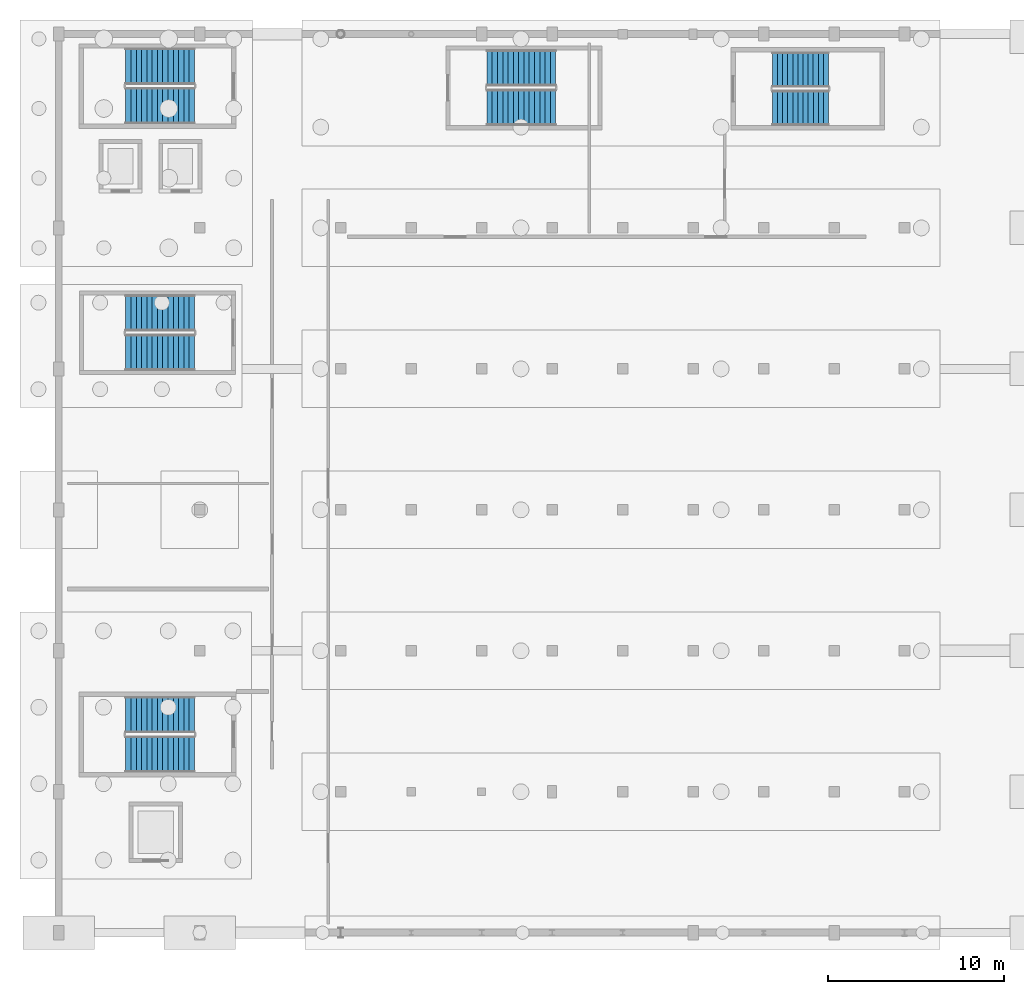
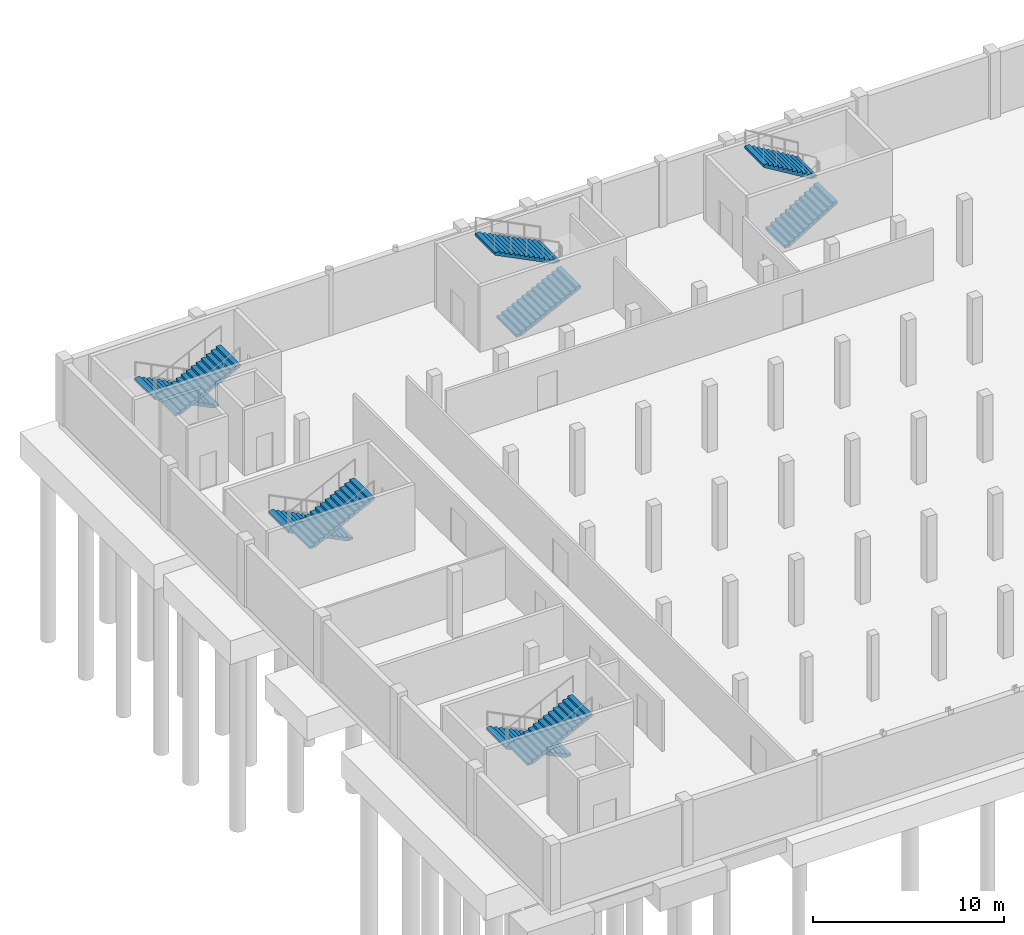
# One storey, part 10 of 15: 10 stair flights, 5 elements without a shape of their own.
"""IFC4 building model written with IfcOpenShell, lengths in metres."""

from ifc_helpers import new_model, si_unit, derived_unit, direction, frame, origin, place, context, subcontext, project, spatial, polyline, outline, extrude, material, type_object, element, aggregate, save


model = new_model("IFC4")

# Units and contexts
model_context = context("Model", 3, precision=1e-05, world=origin(), true_north=direction((0.0, 1.0)))
body_context = subcontext(model_context, "Body", "Model", "MODEL_VIEW")
ifc_project = project(units=[si_unit("LENGTHUNIT", "METRE"), si_unit("AREAUNIT", "SQUARE_METRE"), si_unit("VOLUMEUNIT", "CUBIC_METRE"), si_unit("PLANEANGLEUNIT", "RADIAN"), si_unit("MASSUNIT", "GRAM", prefix="KILO"), derived_unit("THERMALTRANSMITTANCEUNIT", [(si_unit("POWERUNIT", "WATT"), 1), (si_unit("LENGTHUNIT", "METRE"), -2), (si_unit("THERMODYNAMICTEMPERATUREUNIT", "KELVIN"), -1)])], contexts=[model_context])

# Site, building, storey
site_placement = place(None, origin())
site = spatial("IfcSite", under=ifc_project, at=site_placement, CompositionType="ELEMENT")
building_placement = place(site_placement, origin())
building = spatial("IfcBuilding", under=site, at=building_placement, Name="Keldorne Ridge Multi-Sports Centre", CompositionType="ELEMENT")
storey_placement = place(building_placement, frame((0.0, 0.0, -4.199951171875)))
storey = spatial("IfcBuildingStorey", under=building, at=storey_placement, Name="B01", CompositionType="ELEMENT", Elevation=-4.199951171875)

# Stair, stair flights
ifc_material = material(Name="Concrete C35/45", Category="concrete")
stair_type = type_object("IfcStairType", Name="STR-S01", PredefinedType="HALF_TURN_STAIR", material=ifc_material)
stair_1_placement = place(storey_placement, origin())
stair_1 = element("IfcStair", 1, at=stair_1_placement, inside=storey, type_object=stair_type, Name="B01 North-East Primary Clinical Core C1", PredefinedType="HALF_TURN_STAIR")
stair_flight_type = type_object("IfcStairFlightType", Name="STF-F01", PredefinedType="STRAIGHT", material=ifc_material)
stair_flight_1_placement = place(storey_placement, frame((111.699951171875, 115.169921875, 0.0), z_axis=(0.0, 0.0, 1.0), x_axis=(-1.0, 0.0, 0.0)))
stair_flight_1 = element("IfcStairFlight", 2, at=stair_flight_1_placement, type_object=stair_flight_type, Name="ST-01 flight 1", NumberOfRisers=14, NumberOfTreads=13, PredefinedType="STRAIGHT", RiserHeight=0.15, TreadLength=0.3, context=body_context, shape_type="SweptSolid", body=[
    extrude(outline(polyline([(0.0, 0.0), (0.0, 0.14990234375), (0.300048828125, 0.14990234375), (0.300048828125, 0.300048828125), (0.60009765625, 0.300048828125), (0.60009765625, 0.449951171875), (0.89990234375, 0.449951171875), (0.89990234375, 0.60009765625), (1.199951171875, 0.60009765625), (1.199951171875, 0.75), (1.5, 0.75), (1.5, 0.89990234375), (1.800048828125, 0.89990234375), (1.800048828125, 1.050048828125), (2.10009765625, 1.050048828125), (2.10009765625, 1.199951171875), (2.39990234375, 1.199951171875), (2.39990234375, 1.35009765625), (2.699951171875, 1.35009765625), (2.699951171875, 1.5), (3.0, 1.5), (3.0, 1.64990234375), (3.300048828125, 1.64990234375), (3.300048828125, 1.800048828125), (3.60009765625, 1.800048828125), (3.60009765625, 1.949951171875), (3.89990234375, 1.949951171875), (3.89990234375, 2.10009765625), (3.89990234375, 1.782470703125), (0.335205078125, 0.0), (0.0, 0.0)])), frame((0.0, 1.030029296875, 0.0), z_axis=(0.0, -1.0, 0.0), x_axis=(1.0, 0.0, 0.0)), (0.0, 0.0, 1.0), 2.06005859375),
])
stair_flight_2_placement = place(storey_placement, frame((107.800048828125, 112.929931640625, 2.099853515625), z_axis=(0.0, 0.0, 1.0), x_axis=(1.0, 0.0, 0.0)))
stair_flight_2 = element("IfcStairFlight", 3, at=stair_flight_2_placement, type_object=stair_flight_type, Name="ST-01 flight 2", NumberOfRisers=14, NumberOfTreads=13, PredefinedType="STRAIGHT", RiserHeight=0.15, TreadLength=0.3, context=body_context, shape_type="SweptSolid", body=[
    extrude(outline(polyline([(0.0, 0.0), (0.0, 0.14990234375), (0.300048828125, 0.14990234375), (0.300048828125, 0.300048828125), (0.60009765625, 0.300048828125), (0.60009765625, 0.449951171875), (0.89990234375, 0.449951171875), (0.89990234375, 0.60009765625), (1.199951171875, 0.60009765625), (1.199951171875, 0.75), (1.5, 0.75), (1.5, 0.89990234375), (1.800048828125, 0.89990234375), (1.800048828125, 1.050048828125), (2.10009765625, 1.050048828125), (2.10009765625, 1.199951171875), (2.39990234375, 1.199951171875), (2.39990234375, 1.35009765625), (2.699951171875, 1.35009765625), (2.699951171875, 1.5), (3.0, 1.5), (3.0, 1.64990234375), (3.300048828125, 1.64990234375), (3.300048828125, 1.800048828125), (3.60009765625, 1.800048828125), (3.60009765625, 1.949951171875), (3.89990234375, 1.949951171875), (3.89990234375, 2.10009765625), (3.89990234375, 1.782470703125), (0.335205078125, 0.0), (0.0, 0.0)])), frame((0.0, 1.030029296875, 0.0), z_axis=(0.0, -1.0, 0.0), x_axis=(1.0, 0.0, 0.0)), (0.0, 0.0, 1.0), 2.06005859375),
])
aggregate(stair_1, [stair_flight_1, stair_flight_2])

stair_2_placement = place(storey_placement, origin())
stair_2 = element("IfcStair", 4, at=stair_2_placement, inside=storey, type_object=stair_type, Name="B01 East Wing South Core C2", PredefinedType="HALF_TURN_STAIR")
stair_flight_3_placement = place(storey_placement, frame((111.699951171875, 78.3701171875, 0.0), z_axis=(0.0, 0.0, 1.0), x_axis=(-1.0, 0.0, 0.0)))
stair_flight_3 = element("IfcStairFlight", 5, at=stair_flight_3_placement, type_object=stair_flight_type, Name="ST-02 flight 1", NumberOfRisers=14, NumberOfTreads=13, PredefinedType="STRAIGHT", RiserHeight=0.15, TreadLength=0.3, context=body_context, shape_type="SweptSolid", body=[
    extrude(outline(polyline([(0.0, 0.0), (0.0, 0.14990234375), (0.300048828125, 0.14990234375), (0.300048828125, 0.300048828125), (0.60009765625, 0.300048828125), (0.60009765625, 0.449951171875), (0.89990234375, 0.449951171875), (0.89990234375, 0.60009765625), (1.199951171875, 0.60009765625), (1.199951171875, 0.75), (1.5, 0.75), (1.5, 0.89990234375), (1.800048828125, 0.89990234375), (1.800048828125, 1.050048828125), (2.10009765625, 1.050048828125), (2.10009765625, 1.199951171875), (2.39990234375, 1.199951171875), (2.39990234375, 1.35009765625), (2.699951171875, 1.35009765625), (2.699951171875, 1.5), (3.0, 1.5), (3.0, 1.64990234375), (3.300048828125, 1.64990234375), (3.300048828125, 1.800048828125), (3.60009765625, 1.800048828125), (3.60009765625, 1.949951171875), (3.89990234375, 1.949951171875), (3.89990234375, 2.10009765625), (3.89990234375, 1.782470703125), (0.335205078125, 0.0), (0.0, 0.0)])), frame((0.0, 1.030029296875, 0.0), z_axis=(0.0, -1.0, 0.0), x_axis=(1.0, 0.0, 0.0)), (0.0, 0.0, 1.0), 2.06005859375),
])
stair_flight_4_placement = place(storey_placement, frame((107.800048828125, 76.1298828125, 2.099853515625), z_axis=(0.0, 0.0, 1.0), x_axis=(1.0, 0.0, 0.0)))
stair_flight_4 = element("IfcStairFlight", 6, at=stair_flight_4_placement, type_object=stair_flight_type, Name="ST-02 flight 2", NumberOfRisers=14, NumberOfTreads=13, PredefinedType="STRAIGHT", RiserHeight=0.15, TreadLength=0.3, context=body_context, shape_type="SweptSolid", body=[
    extrude(outline(polyline([(0.0, 0.0), (0.0, 0.14990234375), (0.300048828125, 0.14990234375), (0.300048828125, 0.300048828125), (0.60009765625, 0.300048828125), (0.60009765625, 0.449951171875), (0.89990234375, 0.449951171875), (0.89990234375, 0.60009765625), (1.199951171875, 0.60009765625), (1.199951171875, 0.75), (1.5, 0.75), (1.5, 0.89990234375), (1.800048828125, 0.89990234375), (1.800048828125, 1.050048828125), (2.10009765625, 1.050048828125), (2.10009765625, 1.199951171875), (2.39990234375, 1.199951171875), (2.39990234375, 1.35009765625), (2.699951171875, 1.35009765625), (2.699951171875, 1.5), (3.0, 1.5), (3.0, 1.64990234375), (3.300048828125, 1.64990234375), (3.300048828125, 1.800048828125), (3.60009765625, 1.800048828125), (3.60009765625, 1.949951171875), (3.89990234375, 1.949951171875), (3.89990234375, 2.10009765625), (3.89990234375, 1.782470703125), (0.335205078125, 0.0), (0.0, 0.0)])), frame((0.0, 1.030029296875, 0.0), z_axis=(0.0, -1.0, 0.0), x_axis=(1.0, 0.0, 0.0)), (0.0, 0.0, 1.0), 2.06005859375),
])
aggregate(stair_2, [stair_flight_3, stair_flight_4])

stair_3_placement = place(storey_placement, origin())
stair_3 = element("IfcStair", 7, at=stair_3_placement, inside=storey, type_object=stair_type, Name="B01 East Wing Studio Core C3", PredefinedType="HALF_TURN_STAIR")
stair_flight_5_placement = place(storey_placement, frame((144.5, 112.800048828125, 0.0), z_axis=(0.0, 0.0, 1.0), x_axis=(1.0, 0.0, 0.0)))
stair_flight_5 = element("IfcStairFlight", 8, at=stair_flight_5_placement, type_object=stair_flight_type, Name="ST-03 flight 1", NumberOfRisers=12, NumberOfTreads=11, PredefinedType="STRAIGHT", RiserHeight=0.175, TreadLength=0.29, context=body_context, shape_type="SweptSolid", body=[
    extrude(outline(polyline([(0.0, 0.0), (0.0, 0.175048828125), (0.2900390625, 0.175048828125), (0.2900390625, 0.35009765625), (0.580078125, 0.35009765625), (0.580078125, 0.52490234375), (0.8701171875, 0.52490234375), (0.8701171875, 0.699951171875), (1.159912109375, 0.699951171875), (1.159912109375, 0.875), (1.449951171875, 0.875), (1.449951171875, 1.050048828125), (1.739990234375, 1.050048828125), (1.739990234375, 1.22509765625), (2.030029296875, 1.22509765625), (2.030029296875, 1.39990234375), (2.320068359375, 1.39990234375), (2.320068359375, 1.574951171875), (2.610107421875, 1.574951171875), (2.610107421875, 1.75), (2.89990234375, 1.75), (2.89990234375, 1.925048828125), (3.18994140625, 1.925048828125), (3.18994140625, 2.10009765625), (3.18994140625, 1.75), (0.2900390625, 0.0), (0.0, 0.0)])), frame((0.0, 1.0, 0.0), z_axis=(0.0, -1.0, 0.0), x_axis=(1.0, 0.0, 0.0)), (0.0, 0.0, 1.0), 2.0),
])
stair_flight_6_placement = place(storey_placement, frame((147.68994140625, 114.97998046875, 2.099853515625), z_axis=(0.0, 0.0, 1.0), x_axis=(-1.0, 0.0, 0.0)))
stair_flight_6 = element("IfcStairFlight", 9, at=stair_flight_6_placement, type_object=stair_flight_type, Name="ST-03 flight 2", NumberOfRisers=12, NumberOfTreads=11, PredefinedType="STRAIGHT", RiserHeight=0.175, TreadLength=0.29, context=body_context, shape_type="SweptSolid", body=[
    extrude(outline(polyline([(0.0, 0.0), (0.0, 0.175048828125), (0.2900390625, 0.175048828125), (0.2900390625, 0.35009765625), (0.580078125, 0.35009765625), (0.580078125, 0.52490234375), (0.8701171875, 0.52490234375), (0.8701171875, 0.699951171875), (1.159912109375, 0.699951171875), (1.159912109375, 0.875), (1.449951171875, 0.875), (1.449951171875, 1.050048828125), (1.739990234375, 1.050048828125), (1.739990234375, 1.22509765625), (2.030029296875, 1.22509765625), (2.030029296875, 1.39990234375), (2.320068359375, 1.39990234375), (2.320068359375, 1.574951171875), (2.610107421875, 1.574951171875), (2.610107421875, 1.75), (2.89990234375, 1.75), (2.89990234375, 1.925048828125), (3.18994140625, 1.925048828125), (3.18994140625, 2.10009765625), (3.18994140625, 1.75), (0.2900390625, 0.0), (0.0, 0.0)])), frame((0.0, 1.0, 0.0), z_axis=(0.0, -1.0, 0.0), x_axis=(1.0, 0.0, 0.0)), (0.0, 0.0, 1.0), 2.0),
])
aggregate(stair_3, [stair_flight_5, stair_flight_6])

stair_4_placement = place(storey_placement, origin())
stair_4 = element("IfcStair", 10, at=stair_4_placement, inside=storey, type_object=stair_type, Name="B01 Upper Studio Escape Stair ST-10", PredefinedType="HALF_TURN_STAIR")
stair_flight_7_placement = place(storey_placement, frame((128.300048828125, 112.830078125, 0.0), z_axis=(0.0, 0.0, 1.0), x_axis=(1.0, 0.0, 0.0)))
stair_flight_7 = element("IfcStairFlight", 11, at=stair_flight_7_placement, type_object=stair_flight_type, Name="ST-10 flight 1", NumberOfRisers=14, NumberOfTreads=13, PredefinedType="STRAIGHT", RiserHeight=0.15, TreadLength=0.3, context=body_context, shape_type="SweptSolid", body=[
    extrude(outline(polyline([(0.0, 0.0), (0.0, 0.14990234375), (0.300048828125, 0.14990234375), (0.300048828125, 0.300048828125), (0.60009765625, 0.300048828125), (0.60009765625, 0.449951171875), (0.89990234375, 0.449951171875), (0.89990234375, 0.60009765625), (1.199951171875, 0.60009765625), (1.199951171875, 0.75), (1.5, 0.75), (1.5, 0.89990234375), (1.800048828125, 0.89990234375), (1.800048828125, 1.050048828125), (2.10009765625, 1.050048828125), (2.10009765625, 1.199951171875), (2.39990234375, 1.199951171875), (2.39990234375, 1.35009765625), (2.699951171875, 1.35009765625), (2.699951171875, 1.5), (3.0, 1.5), (3.0, 1.64990234375), (3.300048828125, 1.64990234375), (3.300048828125, 1.800048828125), (3.60009765625, 1.800048828125), (3.60009765625, 1.949951171875), (3.89990234375, 1.949951171875), (3.89990234375, 2.10009765625), (3.89990234375, 1.782470703125), (0.335205078125, 0.0), (0.0, 0.0)])), frame((0.0, 1.030029296875, 0.0), z_axis=(0.0, -1.0, 0.0), x_axis=(1.0, 0.0, 0.0)), (0.0, 0.0, 1.0), 2.06005859375),
])
stair_flight_8_placement = place(storey_placement, frame((132.199951171875, 115.070068359375, 2.099853515625), z_axis=(0.0, 0.0, 1.0), x_axis=(-1.0, 0.0, 0.0)))
stair_flight_8 = element("IfcStairFlight", 12, at=stair_flight_8_placement, type_object=stair_flight_type, Name="ST-10 flight 2", NumberOfRisers=14, NumberOfTreads=13, PredefinedType="STRAIGHT", RiserHeight=0.15, TreadLength=0.3, context=body_context, shape_type="SweptSolid", body=[
    extrude(outline(polyline([(0.0, 0.0), (0.0, 0.14990234375), (0.300048828125, 0.14990234375), (0.300048828125, 0.300048828125), (0.60009765625, 0.300048828125), (0.60009765625, 0.449951171875), (0.89990234375, 0.449951171875), (0.89990234375, 0.60009765625), (1.199951171875, 0.60009765625), (1.199951171875, 0.75), (1.5, 0.75), (1.5, 0.89990234375), (1.800048828125, 0.89990234375), (1.800048828125, 1.050048828125), (2.10009765625, 1.050048828125), (2.10009765625, 1.199951171875), (2.39990234375, 1.199951171875), (2.39990234375, 1.35009765625), (2.699951171875, 1.35009765625), (2.699951171875, 1.5), (3.0, 1.5), (3.0, 1.64990234375), (3.300048828125, 1.64990234375), (3.300048828125, 1.800048828125), (3.60009765625, 1.800048828125), (3.60009765625, 1.949951171875), (3.89990234375, 1.949951171875), (3.89990234375, 2.10009765625), (3.89990234375, 1.782470703125), (0.335205078125, 0.0), (0.0, 0.0)])), frame((0.0, 1.030029296875, 0.0), z_axis=(0.0, -1.0, 0.0), x_axis=(1.0, 0.0, 0.0)), (0.0, 0.0, 1.0), 2.06005859375),
])
aggregate(stair_4, [stair_flight_7, stair_flight_8])

stair_5_placement = place(storey_placement, origin())
stair_5 = element("IfcStair", 13, at=stair_5_placement, inside=storey, type_object=stair_type, Name="B01 Mid-Wing Escape Stair ST-11", PredefinedType="HALF_TURN_STAIR")
stair_flight_9_placement = place(storey_placement, frame((111.699951171875, 101.169921875, 0.0), z_axis=(0.0, 0.0, 1.0), x_axis=(-1.0, 0.0, 0.0)))
stair_flight_9 = element("IfcStairFlight", 14, at=stair_flight_9_placement, type_object=stair_flight_type, Name="ST-11 flight 1", NumberOfRisers=14, NumberOfTreads=13, PredefinedType="STRAIGHT", RiserHeight=0.15, TreadLength=0.3, context=body_context, shape_type="SweptSolid", body=[
    extrude(outline(polyline([(0.0, 0.0), (0.0, 0.14990234375), (0.300048828125, 0.14990234375), (0.300048828125, 0.300048828125), (0.60009765625, 0.300048828125), (0.60009765625, 0.449951171875), (0.89990234375, 0.449951171875), (0.89990234375, 0.60009765625), (1.199951171875, 0.60009765625), (1.199951171875, 0.75), (1.5, 0.75), (1.5, 0.89990234375), (1.800048828125, 0.89990234375), (1.800048828125, 1.050048828125), (2.10009765625, 1.050048828125), (2.10009765625, 1.199951171875), (2.39990234375, 1.199951171875), (2.39990234375, 1.35009765625), (2.699951171875, 1.35009765625), (2.699951171875, 1.5), (3.0, 1.5), (3.0, 1.64990234375), (3.300048828125, 1.64990234375), (3.300048828125, 1.800048828125), (3.60009765625, 1.800048828125), (3.60009765625, 1.949951171875), (3.89990234375, 1.949951171875), (3.89990234375, 2.10009765625), (3.89990234375, 1.782470703125), (0.335205078125, 0.0), (0.0, 0.0)])), frame((0.0, 1.030029296875, 0.0), z_axis=(0.0, -1.0, 0.0), x_axis=(1.0, 0.0, 0.0)), (0.0, 0.0, 1.0), 2.06005859375),
])
stair_flight_10_placement = place(storey_placement, frame((107.800048828125, 98.929931640625, 2.099853515625), z_axis=(0.0, 0.0, 1.0), x_axis=(1.0, 0.0, 0.0)))
stair_flight_10 = element("IfcStairFlight", 15, at=stair_flight_10_placement, type_object=stair_flight_type, Name="ST-11 flight 2", NumberOfRisers=14, NumberOfTreads=13, PredefinedType="STRAIGHT", RiserHeight=0.15, TreadLength=0.3, context=body_context, shape_type="SweptSolid", body=[
    extrude(outline(polyline([(0.0, 0.0), (0.0, 0.14990234375), (0.300048828125, 0.14990234375), (0.300048828125, 0.300048828125), (0.60009765625, 0.300048828125), (0.60009765625, 0.449951171875), (0.89990234375, 0.449951171875), (0.89990234375, 0.60009765625), (1.199951171875, 0.60009765625), (1.199951171875, 0.75), (1.5, 0.75), (1.5, 0.89990234375), (1.800048828125, 0.89990234375), (1.800048828125, 1.050048828125), (2.10009765625, 1.050048828125), (2.10009765625, 1.199951171875), (2.39990234375, 1.199951171875), (2.39990234375, 1.35009765625), (2.699951171875, 1.35009765625), (2.699951171875, 1.5), (3.0, 1.5), (3.0, 1.64990234375), (3.300048828125, 1.64990234375), (3.300048828125, 1.800048828125), (3.60009765625, 1.800048828125), (3.60009765625, 1.949951171875), (3.89990234375, 1.949951171875), (3.89990234375, 2.10009765625), (3.89990234375, 1.782470703125), (0.335205078125, 0.0), (0.0, 0.0)])), frame((0.0, 1.030029296875, 0.0), z_axis=(0.0, -1.0, 0.0), x_axis=(1.0, 0.0, 0.0)), (0.0, 0.0, 1.0), 2.06005859375),
])
aggregate(stair_5, [stair_flight_9, stair_flight_10])

save(model, "model.ifc")
